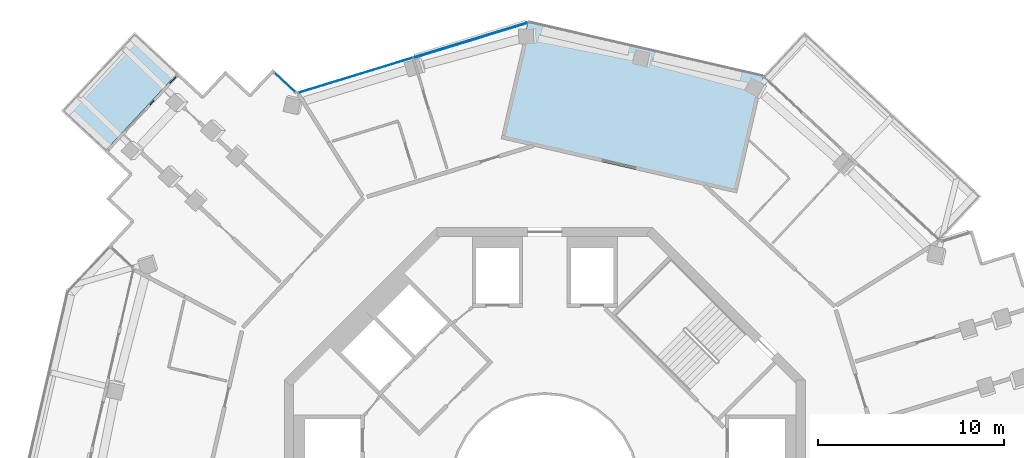
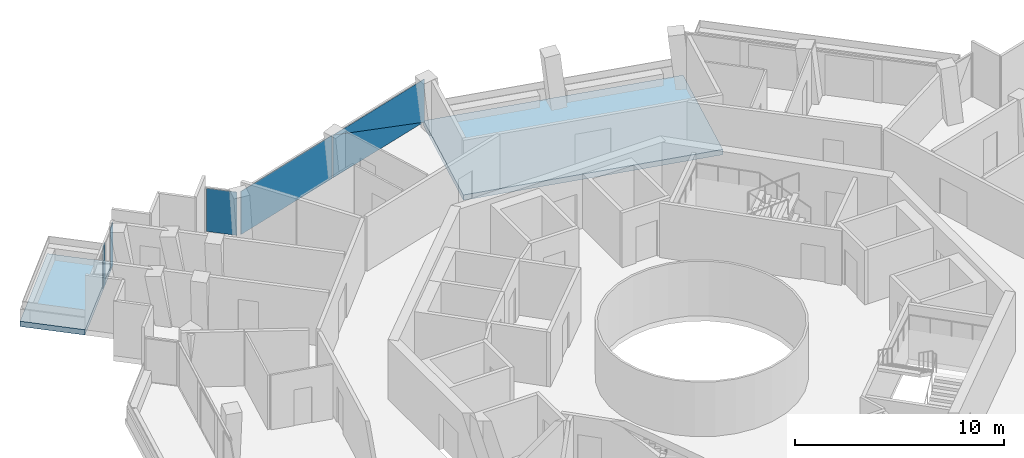
# One storey, part 12 of 21: 6 plates, 2 slabs, 3 elements without a shape of their own.
"""IFC4 building model written with IfcOpenShell, lengths in metres."""

from ifc_helpers import new_model, si_unit, direction, frame, origin, origin_2d, place, context, subcontext, project, spatial, polyline, rectangle, outline, extrude, material, layer, layer_set, type_object, element, aggregate, save


model = new_model("IFC4")

# Units and contexts
model_context = context("Model", 3, precision=1e-05, world=origin(), true_north=direction((0.0, 1.0)))
body_context = subcontext(model_context, "Body", "Model", "MODEL_VIEW")
ifc_project = project(units=[si_unit("LENGTHUNIT", "METRE"), si_unit("AREAUNIT", "SQUARE_METRE"), si_unit("VOLUMEUNIT", "CUBIC_METRE"), si_unit("PLANEANGLEUNIT", "RADIAN"), si_unit("MASSUNIT", "GRAM", prefix="KILO")], contexts=[model_context])

# Site, building, storey
site_placement = place(None, origin())
site = spatial("IfcSite", under=ifc_project, at=site_placement, CompositionType="ELEMENT")
building_placement = place(site_placement, origin())
building = spatial("IfcBuilding", under=site, at=building_placement, Name="Verdalira Terraces Hotel", CompositionType="ELEMENT")
storey_placement = place(building_placement, frame((0.0, 0.0, 227.0)))
storey = spatial("IfcBuildingStorey", under=building, at=storey_placement, Name="L55", CompositionType="ELEMENT", Elevation=227.0)

# Slab
ifc_material_1 = material(Name="Precast concrete C40/50", Category="concrete")
ifc_layer_1 = layer(ifc_material_1, 0.31005859375)
ifc_layer_set_1 = layer_set([ifc_layer_1], Name="Balcony deck 310")
slab_type_1 = type_object("IfcSlabType", Name="Balcony deck 310", PredefinedType="FLOOR", material=ifc_layer_set_1)
slab_1_placement = place(storey_placement, frame((0.0, 0.0, -0.310059)))
element("IfcSlab", 1, at=slab_1_placement, inside=storey, type_object=slab_type_1, Name="Balcony deck", PredefinedType="FLOOR", context=body_context, shape_type="SweptSolid", body=[
    extrude(outline(polyline([(-26.010986, 20.259033), (-23.669189, 18.078369), (-19.716553, 22.322754), (-22.05835, 24.503662), (-26.010986, 20.259033)])), origin(), (0.0, 0.0, 1.0), 0.310059),
])

# Curtain wall, plates
ifc_material_2 = material(Name="Clear glass", Category="glass")
ifc_layer_2 = layer(ifc_material_2, 0.14990234375)
ifc_layer_set_2 = layer_set([ifc_layer_2], Name="CW1 curtain wall")
curtain_wall_type_1 = type_object("IfcCurtainWallType", Name="CW1 curtain wall", PredefinedType="NOTDEFINED", material=ifc_layer_set_2)
curtain_wall_1_placement = place(storey_placement, origin())
curtain_wall_1 = element("IfcCurtainWall", 2, at=curtain_wall_1_placement, inside=storey, type_object=curtain_wall_type_1, Name="CW1 curtain wall L55 edge 41", PredefinedType="NOTDEFINED")
ifc_material_3 = material(Name="Clear glass", Category="glass")
ifc_layer_3 = layer(ifc_material_3, 0.028076171875)
ifc_layer_set_3 = layer_set([ifc_layer_3], Name="CW1 glass unit 28")
plate_type_1 = type_object("IfcPlateType", Name="CW1 glass unit 28", PredefinedType="CURTAIN_PANEL", material=ifc_layer_set_3)
plate_1_placement = place(storey_placement, frame((-3.989502, 24.056152, 1.262451), z_axis=(-0.29303926, 0.956100409, 0.0), x_axis=(-0.956100409, -0.29303926, 0.0)))
plate_1 = element("IfcPlate", 3, at=plate_1_placement, type_object=plate_type_1, Name="CW1 glass unit", PredefinedType="CURTAIN_PANEL", context=body_context, shape_type="SweptSolid", body=[
    extrude(outline(polyline([(-3.205078, -1.262451), (3.205078, -1.262451), (3.205078, 1.262451), (-3.205078, -1.262451)])), origin(), (0.0, 0.0, 1.0), 0.028076),
])
plate_2_placement = place(storey_placement, frame((-3.980957, 24.02832, 1.262451), z_axis=(-0.29303926, 0.956100409, 0.0), x_axis=(-0.956100409, -0.29303926, 0.0)))
plate_2 = element("IfcPlate", 4, at=plate_2_placement, type_object=plate_type_1, Name="CW1 glass unit", PredefinedType="CURTAIN_PANEL", context=body_context, shape_type="SweptSolid", body=[
    extrude(outline(polyline([(-3.205078, -1.262451), (3.205078, 1.262451), (-3.205078, 1.262451), (-3.205078, -1.262451)])), origin(), (0.0, 0.0, 1.0), 0.028076),
])
plate_3_placement = place(storey_placement, frame((-10.179688, 22.173828, 0.0), z_axis=(0.0, 0.0, 1.0), x_axis=(-0.956100409, -0.29303926, 0.0)))
plate_3 = element("IfcPlate", 5, at=plate_3_placement, type_object=plate_type_1, Name="CW1 glass unit", PredefinedType="CURTAIN_PANEL", context=body_context, shape_type="SweptSolid", body=[
    extrude(rectangle(XDim=6.409912, YDim=0.028076, at=origin_2d()), origin(), (0.0, 0.0, 1.0), 2.524902),
])
aggregate(curtain_wall_1, [plate_1, plate_2, plate_3])

# Curtain wall, plate
ifc_material_4 = material(Name="Clear glass", Category="glass")
ifc_layer_4 = layer(ifc_material_4, 0.14990234375)
ifc_layer_set_4 = layer_set([ifc_layer_4], Name="CW2 curtain wall")
curtain_wall_type_2 = type_object("IfcCurtainWallType", Name="CW2 curtain wall", PredefinedType="NOTDEFINED", material=ifc_layer_set_4)
curtain_wall_2_placement = place(storey_placement, origin())
curtain_wall_2 = element("IfcCurtainWall", 6, at=curtain_wall_2_placement, inside=storey, type_object=curtain_wall_type_2, Name="CW2 curtain wall L55 edge 0", PredefinedType="NOTDEFINED")
ifc_material_5 = material(Name="Clear glass", Category="glass")
ifc_layer_5 = layer(ifc_material_5, 0.031982421875)
ifc_layer_set_5 = layer_set([ifc_layer_5], Name="CW2 glass unit 32")
plate_type_2 = type_object("IfcPlateType", Name="CW2 glass unit 32", PredefinedType="CURTAIN_PANEL", material=ifc_layer_set_5)
plate_4_placement = place(storey_placement, frame((-13.972168, 21.790283, 0.0), z_axis=(0.0, 0.0, 1.0), x_axis=(-0.731829648, 0.681487613, 0.0)))
plate_4 = element("IfcPlate", 7, at=plate_4_placement, type_object=plate_type_2, Name="CW2 glass unit", PredefinedType="CURTAIN_PANEL", context=body_context, shape_type="SweptSolid", body=[
    extrude(rectangle(XDim=1.493408, YDim=0.031982, at=origin_2d()), origin(), (0.0, 0.0, 1.0), 2.524902),
])
aggregate(curtain_wall_2, [plate_4])

# Curtain wall, plates
ifc_material_6 = material(Name="Clear glass", Category="glass")
ifc_layer_6 = layer(ifc_material_6, 0.14990234375)
ifc_layer_set_6 = layer_set([ifc_layer_6], Name="CW3 curtain wall")
curtain_wall_type_3 = type_object("IfcCurtainWallType", Name="CW3 curtain wall", PredefinedType="NOTDEFINED", material=ifc_layer_set_6)
curtain_wall_3_placement = place(storey_placement, origin())
curtain_wall_3 = element("IfcCurtainWall", 8, at=curtain_wall_3_placement, inside=storey, type_object=curtain_wall_type_3, Name="CW3 curtain wall L55 edge 5", PredefinedType="NOTDEFINED")
ifc_material_7 = material(Name="Clear glass", Category="glass")
ifc_layer_7 = layer(ifc_material_7, 0.035888671875)
ifc_layer_set_7 = layer_set([ifc_layer_7], Name="CW3 glass unit 36")
plate_type_3 = type_object("IfcPlateType", Name="CW3 glass unit 36", PredefinedType="CURTAIN_PANEL", material=ifc_layer_set_7)
plate_5_placement = place(storey_placement, frame((-19.992188, 21.916748, 0.0), z_axis=(0.0, 0.0, 1.0), x_axis=(-0.681487613, -0.731829648, 0.0)))
plate_5 = element("IfcPlate", 9, at=plate_5_placement, type_object=plate_type_3, Name="CW3 glass unit", PredefinedType="CURTAIN_PANEL", context=body_context, shape_type="SweptSolid", body=[
    extrude(rectangle(XDim=0.51001, YDim=0.035889, at=origin_2d()), origin(), (0.0, 0.0, 1.0), 2.524902),
])
plate_6_placement = place(storey_placement, frame((-21.124512, 20.700928, 0.0), z_axis=(0.0, 0.0, 1.0), x_axis=(-0.681487613, -0.731829648, 0.0)))
plate_6 = element("IfcPlate", 10, at=plate_6_placement, type_object=plate_type_3, Name="CW3 glass unit", PredefinedType="CURTAIN_PANEL", context=body_context, shape_type="SweptSolid", body=[
    extrude(rectangle(XDim=0.326904, YDim=0.035889, at=origin_2d()), origin(), (0.0, 0.0, 1.0), 2.524902),
])
aggregate(curtain_wall_3, [plate_5, plate_6])

# Slab
ifc_material_8 = material(Name="Concrete C40", Category="concrete")
ifc_layer_8 = layer(ifc_material_8, 0.31005859375)
ifc_layer_set_8 = layer_set([ifc_layer_8], Name="Loggia floor deck 310 C40")
slab_type_2 = type_object("IfcSlabType", Name="Loggia floor deck 310 C40", PredefinedType="FLOOR", material=ifc_layer_set_8)
slab_2_placement = place(storey_placement, frame((0.0, 0.0, -0.310059)))
element("IfcSlab", 11, at=slab_2_placement, inside=storey, type_object=slab_type_2, Name="Loggia deck L55", PredefinedType="FLOOR", context=body_context, shape_type="SweptSolid", body=[
    extrude(outline(polyline([(-2.351807, 18.763672), (10.317139, 15.848145), (11.774902, 22.182617), (-0.894043, 25.098145), (-2.351807, 18.763672)])), origin(), (0.0, 0.0, 1.0), 0.310059),
])

save(model, "model.ifc")
